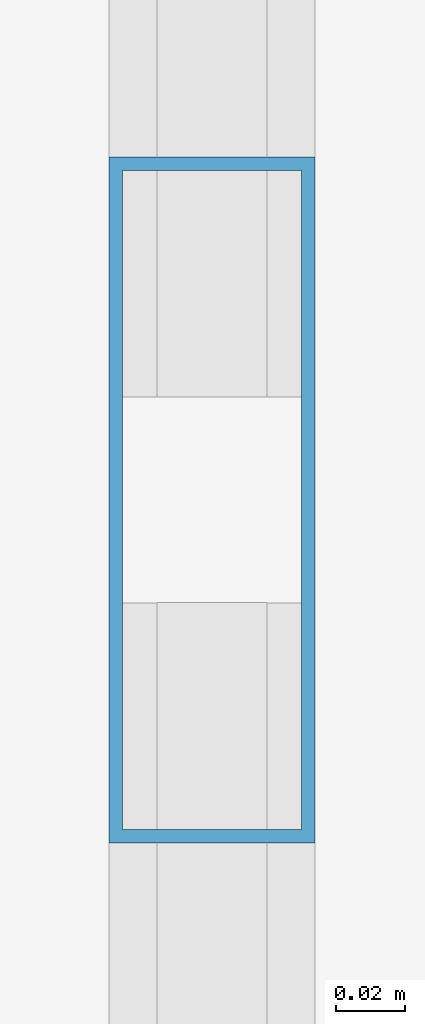
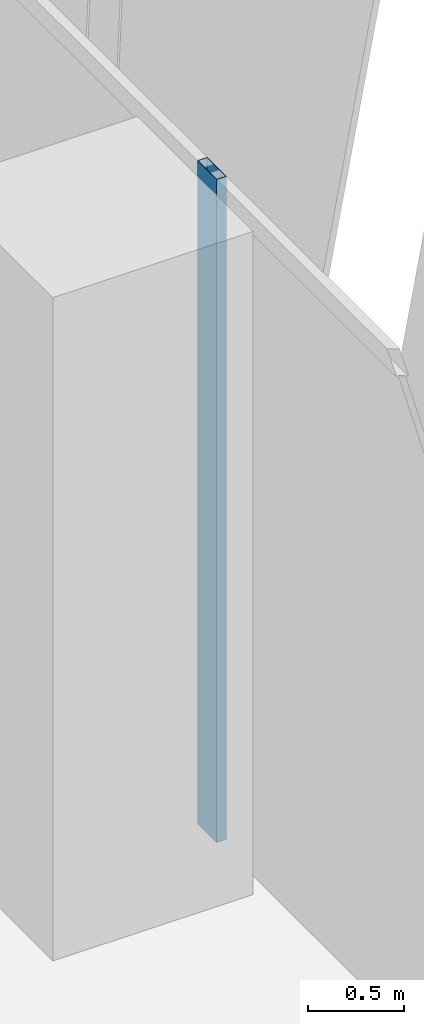
# One storey, part 11 of 37: 1 member, 1 element without a shape of its own.
"""IFC4 building model written with IfcOpenShell, lengths in metres."""

from ifc_helpers import new_model, si_unit, direction, frame, origin, origin_2d, place, context, subcontext, project, spatial, hollow_rectangle, extrude, source, transform, mapped, material, material_profile, profile_set, type_object, element, aggregate, save


model = new_model("IFC4")

# Units and contexts
model_context = context("Model", 3, precision=1e-05, world=origin(), true_north=direction((0.0, 1.0)))
body_context = subcontext(model_context, "Body", "Model", "MODEL_VIEW")
ifc_project = project(units=[si_unit("LENGTHUNIT", "METRE"), si_unit("AREAUNIT", "SQUARE_METRE"), si_unit("VOLUMEUNIT", "CUBIC_METRE"), si_unit("PLANEANGLEUNIT", "RADIAN"), si_unit("MASSUNIT", "GRAM", prefix="KILO")], contexts=[model_context])

# Site, building, storey
site_placement = place(None, origin())
site = spatial("IfcSite", under=ifc_project, at=site_placement, CompositionType="ELEMENT")
building_placement = place(site_placement, origin())
building = spatial("IfcBuilding", under=site, at=building_placement, Name="Khomas Fold Tower", CompositionType="ELEMENT")
storey_placement = place(building_placement, frame((0.0, 0.0, 60.0)))
storey = spatial("IfcBuildingStorey", under=building, at=storey_placement, Name="L12", CompositionType="ELEMENT", Elevation=60.0)

# Curtain wall, member
ifc_material_1 = material(Name="Aluminium framed double glazing", Category="aluminium")
curtain_wall_type = type_object("IfcCurtainWallType", Name="SK-Unitised clear-glass wall, growing floors CW1", PredefinedType="NOTDEFINED", material=ifc_material_1)
curtain_wall_placement = place(storey_placement, origin())
curtain_wall = element("IfcCurtainWall", 1, at=curtain_wall_placement, inside=storey, type_object=curtain_wall_type, Name="CW1 run L12 03-0", PredefinedType="NOTDEFINED")
ifc_material_2 = material(Name="Aluminium", Category="aluminium")
ifc_material_profile = material_profile(ifc_material_2, hollow_rectangle(XDim=0.06005859375, YDim=0.199951171875, WallThickness=0.00390625, at=origin_2d()), Name="SK-Unitised clear-glass wall, growing floors mullion CW1-M")
ifc_profile_set = profile_set([ifc_material_profile], Name="Aluminium")
member_type = type_object("IfcMemberType", Name="SK-Unitised clear-glass wall, growing floors mullion CW1-M", PredefinedType="MULLION", material=ifc_profile_set)
shared_shape = source(origin(), body_context, "Body", "SweptSolid", [
    extrude(hollow_rectangle(XDim=0.06005859375, YDim=0.199951171875, WallThickness=0.00390625, at=origin_2d()), origin(), (0.0, 0.0, 1.0), 4.199951171875),
])
member_placement = place(storey_placement, frame((53.89990234375, 12.0, 0.0), z_axis=(0.0, 0.0, 1.0), x_axis=(-1.0, 0.0, 0.0)))
member = element("IfcMember", 2, at=member_placement, type_object=member_type, Name="CW1 mullion 3", PredefinedType="MULLION", context=body_context, shape_type="MappedRepresentation", body=[
    mapped(shared_shape, transform((0.0, 0.0, 0.0))),
])
aggregate(curtain_wall, [member])

save(model, "model.ifc")
